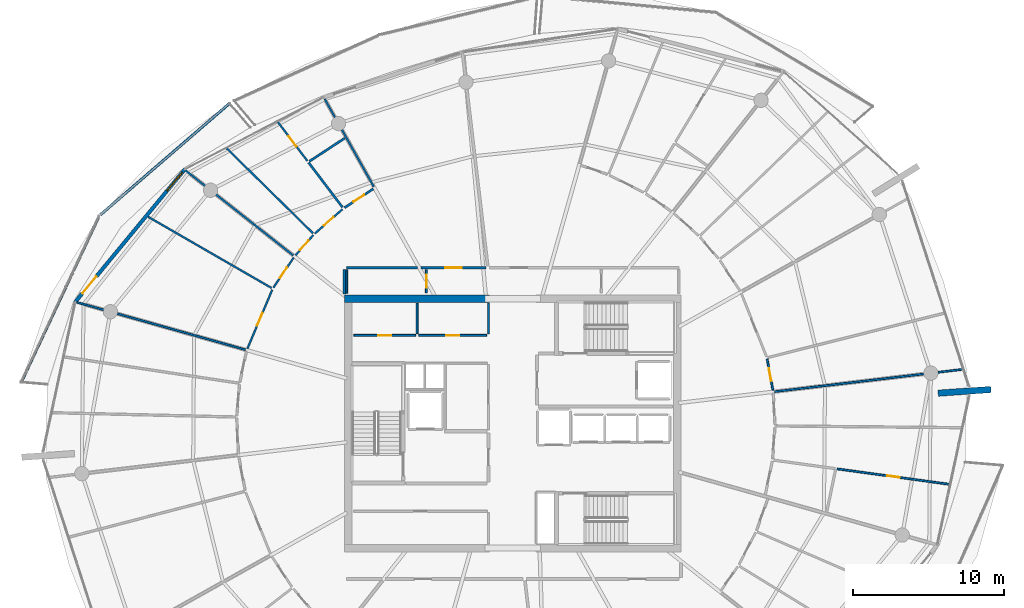
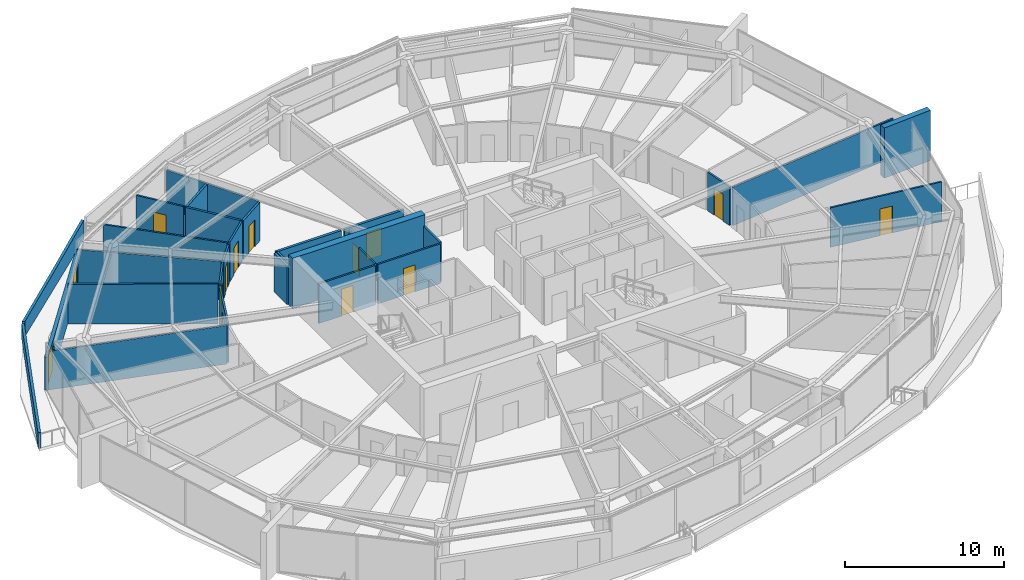
# One storey, part 21 of 30: 30 walls, 13 doors, 1 window, 14 openings.
"""IFC4 building model written with IfcOpenShell, lengths in metres."""

from ifc_helpers import new_model, si_unit, direction, frame, frame_2d, origin, place, context, subcontext, project, spatial, polyline, rectangle, outline, extrude, material, layer, layer_set, type_object, element, fill, save


model = new_model("IFC4")

# Units and contexts
model_context = context("Model", 3, precision=1e-05, world=origin(), true_north=direction((0.0, 1.0)))
body_context = subcontext(model_context, "Body", "Model", "MODEL_VIEW")
ifc_project = project(units=[si_unit("LENGTHUNIT", "METRE"), si_unit("AREAUNIT", "SQUARE_METRE"), si_unit("VOLUMEUNIT", "CUBIC_METRE"), si_unit("PLANEANGLEUNIT", "RADIAN"), si_unit("MASSUNIT", "GRAM", prefix="KILO")], contexts=[model_context])

# Site, building, storey
site_placement = place(None, origin())
site = spatial("IfcSite", under=ifc_project, at=site_placement, CompositionType="ELEMENT")
building_placement = place(site_placement, origin())
building = spatial("IfcBuilding", under=site, at=building_placement, Name="Kazma Halo Residences", CompositionType="ELEMENT")
storey_placement = place(building_placement, frame((0.0, 0.0, 279.050048828125)))
storey = spatial("IfcBuildingStorey", under=building, at=storey_placement, Name="L70", CompositionType="ELEMENT", Elevation=279.050048828125)

# Walls
ifc_material_1 = material(Name="White Concrete C50/60 Balustrade", Category="concrete")
ifc_layer_1 = layer(ifc_material_1, 0.179931640625)
ifc_layer_set_1 = layer_set([ifc_layer_1], Name="White Concrete C50/60 Balustrade")
wall_type_1 = type_object("IfcWallType", Name="WL-BAL-WAVE-180", PredefinedType="PARAPET", material=ifc_layer_set_1)
wall_1_placement = place(storey_placement, frame((29.69384765625, 63.17041015625, 0.0), z_axis=(0.0, 0.0, 1.0), x_axis=(-0.757188428153, -0.653196512751, 0.0)))
element("IfcWall", 1, at=wall_1_placement, inside=storey, type_object=wall_type_1, Name="L70 white wave balustrade wall NW.1", PredefinedType="PARAPET", context=body_context, shape_type="SweptSolid", body=[
    extrude(outline(polyline([(0.0, 0.0), (11.2783203125, 0.0), (11.2783203125, 1.14794921875), (5.63916015625, 1.283935546875), (0.0, 1.48291015625), (0.0, 0.0)])), frame((0.0, 0.08984375, 0.0), z_axis=(0.0, -1.0, 0.0), x_axis=(1.0, 0.0, 0.0)), (0.0, 0.0, 1.0), 0.179931640625),
])
wall_2_placement = place(storey_placement, frame((21.01220703125, 55.6162109375, 0.0), z_axis=(0.0, 0.0, 1.0), x_axis=(-0.424181665689, -0.905577116812, 0.0)))
element("IfcWall", 2, at=wall_2_placement, inside=storey, type_object=wall_type_1, Name="L70 white wave balustrade wall NW.2", PredefinedType="PARAPET", context=body_context, shape_type="SweptSolid", body=[
    extrude(outline(polyline([(0.0, 0.0), (12.029052734375, 0.0), (12.029296875, 1.223876953125), (6.0146484375, 1.126953125), (0.0, 1.14794921875), (0.0, 0.0)])), frame((0.0, 0.08984375, 0.0), z_axis=(0.0, -1.0, 0.0), x_axis=(1.0, 0.0, 0.0)), (0.0, 0.0, 1.0), 0.179931640625),
])
ifc_material_2 = material(Name="Pale Concrete C60/75", Category="concrete")
ifc_layer_2 = layer(ifc_material_2, 0.419921875)
ifc_layer_set_2 = layer_set([ifc_layer_2], Name="Pale Concrete C60/75")
wall_type_2 = type_object("IfcWallType", Name="WL-BLADE-420", PredefinedType="SOLIDWALL", material=ifc_layer_set_2)
wall_3_placement = place(storey_placement, frame((76.5625, 43.997314453125, 0.0), z_axis=(0.0, 0.0, 1.0), x_axis=(0.997563824095, 0.069759707979, 0.0)))
element("IfcWall", 3, at=wall_3_placement, inside=storey, type_object=wall_type_2, Name="L70 pale concrete structural blade fin wall BW-04", PredefinedType="SOLIDWALL", context=body_context, shape_type="SweptSolid", body=[
    extrude(rectangle(XDim=3.499755859375, YDim=0.419921875, at=frame_2d((1.75, 0.0))), origin(), (0.0, 0.0, 1.0), 3.849853515625),
])
ifc_material_3 = material(Name="Concrete C60/75", Category="concrete")
ifc_layer_3 = layer(ifc_material_3, 0.5)
ifc_layer_set_3 = layer_set([ifc_layer_3], Name="Concrete C60/75")
wall_type_3 = type_object("IfcWallType", Name="WL-CORE-500", PredefinedType="SHEAR", material=ifc_layer_set_3)
wall_4_placement = place(storey_placement, frame((37.300048828125, 50.25, 0.0), z_axis=(0.0, 0.0, 1.0), x_axis=(1.0, 0.0, 0.0)))
element("IfcWall", 4, at=wall_4_placement, inside=storey, type_object=wall_type_3, Name="L70 central core shear wall NW", PredefinedType="SHEAR", context=body_context, shape_type="SweptSolid", body=[
    extrude(rectangle(XDim=9.599853515625, YDim=0.5, at=frame_2d((4.7998046875, 0.0))), origin(), (0.0, 0.0, 1.0), 3.849853515625),
])

# Wall, opening, door
ifc_material_4 = material(Name="Acoustic Twin-Stud Gypsum")
ifc_layer_4 = layer(ifc_material_4, 0.179931640625)
ifc_layer_set_4 = layer_set([ifc_layer_4], Name="Acoustic Twin-Stud Gypsum")
wall_type_4 = type_object("IfcWallType", Name="WL-DEM-180", PredefinedType="PARTITIONING", material=ifc_layer_set_4)
wall_5_placement = place(storey_placement, frame((46.660888671875, 52.300048828125, 0.0), z_axis=(0.0, 0.0, 1.0), x_axis=(-1.0, 0.0, 0.0)))
wall_5 = element("IfcWall", 5, at=wall_5_placement, inside=storey, type_object=wall_type_4, Name="L70 Apartment 1 entrance corridor wall", PredefinedType="PARTITIONING", context=body_context, shape_type="SweptSolid", body=[
    extrude(rectangle(XDim=4.30908203125, YDim=0.179931640625, at=frame_2d((2.154541015625, 0.0))), origin(), (0.0, 0.0, 1.0), 2.95703125),
])
opening_1_placement = place(wall_5_placement, frame((1.6044921875, 0.0, 0.0)))
opening_1 = element("IfcOpeningElement", 6, at=opening_1_placement, cuts=wall_5, Name="Opening DA-1100", PredefinedType="OPENING", context=body_context, shape_type="SweptSolid", body=[
    extrude(rectangle(XDim=1.10009765625, YDim=2.10009765625, at=frame_2d((0.550048828125, 1.050048828125))), frame((0.0, 0.099853515625, 0.0), z_axis=(0.0, -1.0, 0.0), x_axis=(1.0, 0.0, 0.0)), (0.0, 0.0, 1.0), 0.199951171875),
])
ifc_material_5 = material(Name="Acoustic Walnut Fire Leaf")
door_type_1 = type_object("IfcDoorType", Name="DR-FD60-1100", OperationType="NOTDEFINED", PredefinedType="DOOR", material=ifc_material_5)
door_1_placement = place(opening_1_placement, origin())
door_1 = element("IfcDoor", 7, at=door_1_placement, inside=storey, type_object=door_type_1, Name="L70 Apartment 1 entrance fire door", OperationType="SINGLE_SWING_RIGHT", OverallHeight=2.10009765625, OverallWidth=1.10009765625, PredefinedType="DOOR", context=body_context, shape_type="SweptSolid", body=[
    extrude(rectangle(XDim=1.10009765625, YDim=2.10009765625, at=frame_2d((0.550048828125, 1.050048828125))), frame((0.0, 0.02490234375, 0.0), z_axis=(0.0, -1.0, 0.0), x_axis=(1.0, 0.0, 0.0)), (0.0, 0.0, 1.0), 0.050048828125),
])
fill(opening_1, door_1)

# Walls
wall_6_placement = place(storey_placement, frame((42.11181640625, 52.300048828125, 0.0), z_axis=(0.0, 0.0, 1.0), x_axis=(-1.0, 0.0, 0.0)))
element("IfcWall", 8, at=wall_6_placement, inside=storey, type_object=wall_type_4, Name="L70 Apartment 1 inner wall 4", PredefinedType="PARTITIONING", context=body_context, shape_type="SweptSolid", body=[
    extrude(rectangle(XDim=4.69189453125, YDim=0.179931640625, at=frame_2d((2.345947265625, 0.0))), origin(), (0.0, 0.0, 1.0), 2.95703125),
])
wall_7_placement = place(storey_placement, frame((37.300048828125, 52.179931640625, 0.0), z_axis=(0.0, 0.0, 1.0), x_axis=(0.0, -1.0, 0.0)))
element("IfcWall", 9, at=wall_7_placement, inside=storey, type_object=wall_type_4, Name="L70 Apartment 1 inner wall 4", PredefinedType="PARTITIONING", context=body_context, shape_type="SweptSolid", body=[
    extrude(rectangle(XDim=1.624755859375, YDim=0.179931640625, at=frame_2d((0.8125, 0.0))), origin(), (0.0, 0.0, 1.0), 2.95703125),
])

# Wall, openings, door, window
ifc_material_6 = material(Name="Insulated Pale-Metal Composite Wall")
ifc_layer_5 = layer(ifc_material_6, 0.239990234375)
ifc_layer_set_5 = layer_set([ifc_layer_5], Name="Insulated Pale-Metal Composite Wall")
wall_type_5 = type_object("IfcWallType", Name="WL-EXT-HOST-240", PredefinedType="SOLIDWALL", material=ifc_layer_set_5)
wall_8_placement = place(storey_placement, frame((26.7421875, 58.822021484375, 0.0), z_axis=(0.0, 0.0, 1.0), x_axis=(-0.636680093065, -0.771128043255, 0.0)))
wall_8 = element("IfcWall", 10, at=wall_8_placement, inside=storey, type_object=wall_type_5, Name="L70 exterior terrace-access wall B06", PredefinedType="SOLIDWALL", context=body_context, shape_type="SweptSolid", body=[
    extrude(rectangle(XDim=11.438232421875, YDim=0.239990234375, at=frame_2d((5.71923828125, 0.0))), origin(), (0.0, 0.0, 1.0), 2.5400390625),
])
opening_2_placement = place(wall_8_placement, frame((9.21826171875, 0.0, 0.0)))
opening_2 = element("IfcOpeningElement", 11, at=opening_2_placement, cuts=wall_8, Name="Opening DTR-1600", PredefinedType="OPENING", context=body_context, shape_type="SweptSolid", body=[
    extrude(rectangle(XDim=1.449951171875, YDim=2.14990234375, at=frame_2d((0.72509765625, 1.074951171875))), frame((0.0, 0.1298828125, 0.0), z_axis=(0.0, -1.0, 0.0), x_axis=(1.0, 0.0, 0.0)), (0.0, 0.0, 1.0), 0.260009765625),
])
opening_3_placement = place(wall_8_placement, frame((0.280029296875, 0.0, 0.64990234375)))
opening_3 = element("IfcOpeningElement", 12, at=opening_3_placement, cuts=wall_8, Name="Opening W-1800", PredefinedType="OPENING", context=body_context, shape_type="SweptSolid", body=[
    extrude(rectangle(XDim=1.60009765625, YDim=1.5, at=frame_2d((0.800048828125, 0.75))), frame((0.0, 0.1298828125, 0.0), z_axis=(0.0, -1.0, 0.0), x_axis=(1.0, 0.0, 0.0)), (0.0, 0.0, 1.0), 0.260009765625),
])
ifc_material_7 = material(Name="Aluminium AW-6063 T6 Double-Glazed Terrace Door", Category="aluminium")
door_type_2 = type_object("IfcDoorType", Name="DR-EXT-TERR-1600", OperationType="NOTDEFINED", PredefinedType="DOOR", material=ifc_material_7)
door_2_placement = place(opening_2_placement, origin())
door_2 = element("IfcDoor", 13, at=door_2_placement, inside=storey, type_object=door_type_2, Name="L70 B06 balcony terrace door", OperationType="DOUBLE_DOOR_SLIDING", OverallHeight=2.14990234375, OverallWidth=1.449951171875, PredefinedType="DOOR", context=body_context, shape_type="SweptSolid", body=[
    extrude(rectangle(XDim=1.449951171875, YDim=2.14990234375, at=frame_2d((0.72509765625, 1.074951171875))), frame((0.0, 0.02490234375, 0.0), z_axis=(0.0, -1.0, 0.0), x_axis=(1.0, 0.0, 0.0)), (0.0, 0.0, 1.0), 0.050048828125),
])
fill(opening_2, door_2)
ifc_material_8 = material(Name="Clear Triple-Silver Low-E Glass in Aluminium AW-6063 T6 Frame", Category="aluminium")
window_type = type_object("IfcWindowType", Name="WIN-RES-1800", PartitioningType="DOUBLE_PANEL_VERTICAL", PredefinedType="WINDOW", material=ifc_material_8)
window_placement = place(opening_3_placement, origin())
window = element("IfcWindow", 14, at=window_placement, inside=storey, type_object=window_type, Name="L70 B06 apartment window", OverallHeight=1.5, OverallWidth=1.60009765625, PartitioningType="SINGLE_PANEL", PredefinedType="WINDOW", context=body_context, shape_type="SweptSolid", body=[
    extrude(rectangle(XDim=1.60009765625, YDim=1.5, at=frame_2d((0.800048828125, 0.75))), frame((0.0, 0.030029296875, 0.0), z_axis=(0.0, -1.0, 0.0), x_axis=(1.0, 0.0, 0.0)), (0.0, 0.0, 1.0), 0.06005859375),
])
fill(opening_3, window)

# Walls
ifc_material_9 = material(Name="Gypsum Plasterboard Partition")
ifc_layer_6 = layer(ifc_material_9, 0.125)
ifc_layer_set_6 = layer_set([ifc_layer_6], Name="Gypsum Plasterboard Partition")
wall_type_6 = type_object("IfcWallType", Name="WL-PART-125", PredefinedType="PARTITIONING", material=ifc_layer_set_6)
for number, where, z_axis, x_axis, name in (
    (15, (46.820068359375, 47.919921875, 0.0), (0.0, 0.0, 1.0), (0.0, 1.0, 0.0), "L70 reclaimed north east wall"),
    (16, (42.10009765625, 47.919921875, 0.0), (0.0, 0.0, 1.0), (0.0, 1.0, 0.0), "L70 reclaimed north divider wall"),
):
    element("IfcWall", number, at=place(storey_placement, frame(where, z_axis=z_axis, x_axis=x_axis)), inside=storey, type_object=wall_type_6, Name=name, PredefinedType="PARTITIONING", context=body_context, shape_type="SweptSolid", body=[
        extrude(rectangle(XDim=2.030029296875, YDim=0.125, at=frame_2d((1.01513671875, 0.0))), origin(), (0.0, 0.0, 1.0), 3.030029296875),
    ])

# Wall, opening, door
wall_9_placement = place(storey_placement, frame((37.919921875, 47.820068359375, 0.0), z_axis=(0.0, 0.0, 1.0), x_axis=(1.0, 0.0, 0.0)))
wall_9 = element("IfcWall", 17, at=wall_9_placement, inside=storey, type_object=wall_type_6, Name="L70 reclaimed north W front wall", PredefinedType="PARTITIONING", context=body_context, shape_type="SweptSolid", body=[
    extrude(rectangle(XDim=4.080078125, YDim=0.125, at=frame_2d((2.0400390625, 0.0))), origin(), (0.0, 0.0, 1.0), 3.030029296875),
])
opening_4_placement = place(wall_9_placement, frame((1.614990234375, 0.0, 0.0)))
opening_4 = element("IfcOpeningElement", 18, at=opening_4_placement, cuts=wall_9, Name="Opening DS-850", PredefinedType="OPENING", context=body_context, shape_type="SweptSolid", body=[
    extrude(rectangle(XDim=0.85009765625, YDim=2.06005859375, at=frame_2d((0.425048828125, 1.030029296875))), frame((0.0, 0.072509765625, 0.0), z_axis=(0.0, -1.0, 0.0), x_axis=(1.0, 0.0, 0.0)), (0.0, 0.0, 1.0), 0.14501953125),
])
ifc_material_10 = material(Name="Painted Steel Access Leaf", Category="steel")
door_type_3 = type_object("IfcDoorType", Name="DR-SVC-850", OperationType="NOTDEFINED", PredefinedType="DOOR", material=ifc_material_10)
door_3_placement = place(opening_4_placement, origin())
door_3 = element("IfcDoor", 19, at=door_3_placement, inside=storey, type_object=door_type_3, Name="L70 reclaimed north W door", OperationType="SINGLE_SWING_RIGHT", OverallHeight=2.06005859375, OverallWidth=0.85009765625, PredefinedType="DOOR", context=body_context, shape_type="SweptSolid", body=[
    extrude(rectangle(XDim=0.85009765625, YDim=2.06005859375, at=frame_2d((0.425048828125, 1.030029296875))), frame((0.0, 0.02490234375, 0.0), z_axis=(0.0, -1.0, 0.0), x_axis=(1.0, 0.0, 0.0)), (0.0, 0.0, 1.0), 0.050048828125),
])
fill(opening_4, door_3)

wall_10_placement = place(storey_placement, frame((42.199951171875, 47.820068359375, 0.0), z_axis=(0.0, 0.0, 1.0), x_axis=(1.0, 0.0, 0.0)))
wall_10 = element("IfcWall", 20, at=wall_10_placement, inside=storey, type_object=wall_type_6, Name="L70 reclaimed north E front wall", PredefinedType="PARTITIONING", context=body_context, shape_type="SweptSolid", body=[
    extrude(rectangle(XDim=4.5, YDim=0.125, at=frame_2d((2.25, 0.0))), origin(), (0.0, 0.0, 1.0), 3.030029296875),
])
opening_5_placement = place(wall_10_placement, frame((1.824951171875, 0.0, 0.0)))
opening_5 = element("IfcOpeningElement", 21, at=opening_5_placement, cuts=wall_10, Name="Opening DS-850", PredefinedType="OPENING", context=body_context, shape_type="SweptSolid", body=[
    extrude(rectangle(XDim=0.85009765625, YDim=2.06005859375, at=frame_2d((0.425048828125, 1.030029296875))), frame((0.0, 0.072509765625, 0.0), z_axis=(0.0, -1.0, 0.0), x_axis=(1.0, 0.0, 0.0)), (0.0, 0.0, 1.0), 0.14501953125),
])
door_4_placement = place(opening_5_placement, origin())
door_4 = element("IfcDoor", 22, at=door_4_placement, inside=storey, type_object=door_type_3, Name="L70 reclaimed north E door", OperationType="SINGLE_SWING_LEFT", OverallHeight=2.06005859375, OverallWidth=0.85009765625, PredefinedType="DOOR", context=body_context, shape_type="SweptSolid", body=[
    extrude(rectangle(XDim=0.85009765625, YDim=2.06005859375, at=frame_2d((0.425048828125, 1.030029296875))), frame((0.0, 0.02490234375, 0.0), z_axis=(0.0, -1.0, 0.0), x_axis=(1.0, 0.0, 0.0)), (0.0, 0.0, 1.0), 0.050048828125),
])
fill(opening_5, door_4)

# Wall
wall_11_placement = place(storey_placement, frame((37.43994140625, 50.6201171875, 0.0), z_axis=(0.0, 0.0, 1.0), x_axis=(0.0, 1.0, 0.0)))
element("IfcWall", 23, at=wall_11_placement, inside=storey, type_object=wall_type_6, Name="L70 west linen end wall", PredefinedType="PARTITIONING", context=body_context, shape_type="SweptSolid", body=[
    extrude(rectangle(XDim=1.539794921875, YDim=0.125, at=frame_2d((0.77001953125, 0.0))), origin(), (0.0, 0.0, 1.0), 3.030029296875),
])

# Wall, opening, door
wall_12_placement = place(storey_placement, frame((42.7099609375, 50.639892578125, 0.0), z_axis=(0.0, 0.0, 1.0), x_axis=(0.0, 1.0, 0.0)))
wall_12 = element("IfcWall", 24, at=wall_12_placement, inside=storey, type_object=wall_type_6, Name="L70 floor linen store door wall", PredefinedType="PARTITIONING", context=body_context, shape_type="SweptSolid", body=[
    extrude(rectangle(XDim=1.52001953125, YDim=0.125, at=frame_2d((0.760009765625, 0.0))), origin(), (0.0, 0.0, 1.0), 2.95703125),
])
opening_6_placement = place(wall_12_placement, frame((0.3349609375, 0.0, 0.0)))
opening_6 = element("IfcOpeningElement", 25, at=opening_6_placement, cuts=wall_12, Name="Opening DS-850", PredefinedType="OPENING", context=body_context, shape_type="SweptSolid", body=[
    extrude(rectangle(XDim=0.85009765625, YDim=2.06005859375, at=frame_2d((0.425048828125, 1.030029296875))), frame((0.0, 0.072509765625, 0.0), z_axis=(0.0, -1.0, 0.0), x_axis=(1.0, 0.0, 0.0)), (0.0, 0.0, 1.0), 0.14501953125),
])
door_5_placement = place(opening_6_placement, origin())
door_5 = element("IfcDoor", 26, at=door_5_placement, inside=storey, type_object=door_type_3, Name="L70 floor linen store door", OperationType="SINGLE_SWING_LEFT", OverallHeight=2.06005859375, OverallWidth=0.85009765625, PredefinedType="DOOR", context=body_context, shape_type="SweptSolid", body=[
    extrude(rectangle(XDim=0.85009765625, YDim=2.06005859375, at=frame_2d((0.425048828125, 1.030029296875))), frame((0.0, 0.02490234375, 0.0), z_axis=(0.0, -1.0, 0.0), x_axis=(1.0, 0.0, 0.0)), (0.0, 0.0, 1.0), 0.050048828125),
])
fill(opening_6, door_5)

# Wall
wall_13_placement = place(storey_placement, frame((39.233154296875, 57.654296875, 0.0), z_axis=(0.0, 0.0, 1.0), x_axis=(-0.488631305502, 0.872490370883, 0.0)))
element("IfcWall", 27, at=wall_13_placement, inside=storey, type_object=wall_type_6, Name="L70 Apartment 1 radial partition 4", PredefinedType="PARTITIONING", context=body_context, shape_type="SweptSolid", body=[
    extrude(rectangle(XDim=6.65283203125, YDim=0.125, at=frame_2d((3.326416015625, 0.0))), origin(), (0.0, 0.0, 1.0), 2.95703125),
])

# Wall, opening, door
wall_14_placement = place(storey_placement, frame((34.839599609375, 59.35693359375, 0.0), z_axis=(0.0, 0.0, 1.0), x_axis=(-0.604173390314, 0.7968528813, 0.0)))
wall_14 = element("IfcWall", 28, at=wall_14_placement, inside=storey, type_object=wall_type_6, Name="L70 Apartment 1 Household Store Room partition wall", PredefinedType="PARTITIONING", context=body_context, shape_type="SweptSolid", body=[
    extrude(rectangle(XDim=3.26025390625, YDim=0.125, at=frame_2d((1.630126953125, 0.0))), origin(), (0.0, 0.0, 1.0), 3.030029296875),
])
opening_7_placement = place(wall_14_placement, frame((1.205078125, 0.0, 0.0)))
opening_7 = element("IfcOpeningElement", 29, at=opening_7_placement, cuts=wall_14, Name="Opening DB-900", PredefinedType="OPENING", context=body_context, shape_type="SweptSolid", body=[
    extrude(rectangle(XDim=0.85009765625, YDim=2.06005859375, at=frame_2d((0.425048828125, 1.030029296875))), frame((0.0, 0.072509765625, 0.0), z_axis=(0.0, -1.0, 0.0), x_axis=(1.0, 0.0, 0.0)), (0.0, 0.0, 1.0), 0.14501953125),
])
ifc_material_11 = material(Name="Moisture-Sealed Timber Leaf", Category="wood")
door_type_4 = type_object("IfcDoorType", Name="DR-BTH-900", OperationType="NOTDEFINED", PredefinedType="DOOR", material=ifc_material_11)
door_6_placement = place(opening_7_placement, origin())
door_6 = element("IfcDoor", 30, at=door_6_placement, inside=storey, type_object=door_type_4, Name="L70 Apartment 1 Household Store Room door", OperationType="SINGLE_SWING_RIGHT", OverallHeight=2.06005859375, OverallWidth=0.85009765625, PredefinedType="DOOR", context=body_context, shape_type="SweptSolid", body=[
    extrude(rectangle(XDim=0.85009765625, YDim=2.06005859375, at=frame_2d((0.425048828125, 1.030029296875))), frame((0.0, 0.02490234375, 0.0), z_axis=(0.0, -1.0, 0.0), x_axis=(1.0, 0.0, 0.0)), (0.0, 0.0, 1.0), 0.050048828125),
])
fill(opening_7, door_6)

# Wall
wall_15_placement = place(storey_placement, frame((35.214111328125, 54.572998046875, 0.0), z_axis=(0.0, 0.0, 1.0), x_axis=(-0.712998082221, 0.701165982311, 0.0)))
element("IfcWall", 31, at=wall_15_placement, inside=storey, type_object=wall_type_6, Name="L70 Apartment 1 suite divider 4", PredefinedType="PARTITIONING", context=body_context, shape_type="SweptSolid", body=[
    extrude(rectangle(XDim=8.026611328125, YDim=0.125, at=frame_2d((4.01318359375, 0.0))), origin(), (0.0, 0.0, 1.0), 3.030029296875),
])

# Wall, opening, door
wall_16_placement = place(storey_placement, frame((37.152587890625, 56.157958984375, 0.0), z_axis=(0.0, 0.0, 1.0), x_axis=(-0.750978090344, -0.660327121829, 0.0)))
wall_16 = element("IfcWall", 32, at=wall_16_placement, inside=storey, type_object=wall_type_6, Name="L70 Apartment 1 Gourmet Kitchen hall wall", PredefinedType="PARTITIONING", context=body_context, shape_type="SweptSolid", body=[
    extrude(rectangle(XDim=2.415771484375, YDim=0.125, at=frame_2d((1.2080078125, 0.0))), origin(), (0.0, 0.0, 1.0), 3.030029296875),
])
opening_8_placement = place(wall_16_placement, frame((0.782958984375, 0.0, 0.0)))
opening_8 = element("IfcOpeningElement", 33, at=opening_8_placement, cuts=wall_16, Name="Opening DB-900", PredefinedType="OPENING", context=body_context, shape_type="SweptSolid", body=[
    extrude(rectangle(XDim=0.85009765625, YDim=2.06005859375, at=frame_2d((0.425048828125, 1.030029296875))), frame((0.0, 0.072509765625, 0.0), z_axis=(0.0, -1.0, 0.0), x_axis=(1.0, 0.0, 0.0)), (0.0, 0.0, 1.0), 0.14501953125),
])
door_7_placement = place(opening_8_placement, origin())
door_7 = element("IfcDoor", 34, at=door_7_placement, inside=storey, type_object=door_type_4, Name="L70 Apartment 1 Gourmet Kitchen door", OperationType="SINGLE_SWING_LEFT", OverallHeight=2.06005859375, OverallWidth=0.85009765625, PredefinedType="DOOR", context=body_context, shape_type="SweptSolid", body=[
    extrude(rectangle(XDim=0.85009765625, YDim=2.06005859375, at=frame_2d((0.425048828125, 1.030029296875))), frame((0.0, 0.02490234375, 0.0), z_axis=(0.0, -1.0, 0.0), x_axis=(1.0, 0.0, 0.0)), (0.0, 0.0, 1.0), 0.050048828125),
])
fill(opening_8, door_7)

wall_17_placement = place(storey_placement, frame((35.2255859375, 54.449951171875, 0.0), z_axis=(0.0, 0.0, 1.0), x_axis=(-0.661115526194, -0.7502841202, 0.0)))
wall_17 = element("IfcWall", 35, at=wall_17_placement, inside=storey, type_object=wall_type_6, Name="L70 Apartment 1 Primary Bedroom hall wall", PredefinedType="PARTITIONING", context=body_context, shape_type="SweptSolid", body=[
    extrude(rectangle(XDim=1.771484375, YDim=0.125, at=frame_2d((0.8857421875, 0.0))), origin(), (0.0, 0.0, 1.0), 2.95703125),
])
opening_9_placement = place(wall_17_placement, frame((0.460693359375, 0.0, 0.0)))
opening_9 = element("IfcOpeningElement", 36, at=opening_9_placement, cuts=wall_17, Name="Opening DB-900", PredefinedType="OPENING", context=body_context, shape_type="SweptSolid", body=[
    extrude(rectangle(XDim=0.85009765625, YDim=2.06005859375, at=frame_2d((0.425048828125, 1.030029296875))), frame((0.0, 0.072509765625, 0.0), z_axis=(0.0, -1.0, 0.0), x_axis=(1.0, 0.0, 0.0)), (0.0, 0.0, 1.0), 0.14501953125),
])
door_8_placement = place(opening_9_placement, origin())
door_8 = element("IfcDoor", 37, at=door_8_placement, inside=storey, type_object=door_type_4, Name="L70 Apartment 1 Primary Bedroom door", OperationType="SINGLE_SWING_RIGHT", OverallHeight=2.06005859375, OverallWidth=0.85009765625, PredefinedType="DOOR", context=body_context, shape_type="SweptSolid", body=[
    extrude(rectangle(XDim=0.85009765625, YDim=2.06005859375, at=frame_2d((0.425048828125, 1.030029296875))), frame((0.0, 0.02490234375, 0.0), z_axis=(0.0, -1.0, 0.0), x_axis=(1.0, 0.0, 0.0)), (0.0, 0.0, 1.0), 0.050048828125),
])
fill(opening_9, door_8)

# Walls
wall_18_placement = place(storey_placement, frame((33.909912109375, 53.10791015625, 0.0), z_axis=(0.0, 0.0, 1.0), x_axis=(-0.785332331122, 0.619074413697, 0.0)))
element("IfcWall", 38, at=wall_18_placement, inside=storey, type_object=wall_type_6, Name="L70 Apartment 1 radial partition 5", PredefinedType="PARTITIONING", context=body_context, shape_type="SweptSolid", body=[
    extrude(rectangle(XDim=9.142578125, YDim=0.125, at=frame_2d((4.5712890625, 0.0))), origin(), (0.0, 0.0, 1.0), 2.95703125),
])
wall_19_placement = place(storey_placement, frame((32.4658203125, 50.9580078125, 0.0), z_axis=(0.0, 0.0, 1.0), x_axis=(-0.86629721787, 0.499528908383, 0.0)))
element("IfcWall", 39, at=wall_19_placement, inside=storey, type_object=wall_type_6, Name="L70 Apartment 1 mid-bay wall 5", PredefinedType="PARTITIONING", context=body_context, shape_type="SweptSolid", body=[
    extrude(rectangle(XDim=9.42822265625, YDim=0.125, at=frame_2d((4.714111328125, 0.0))), origin(), (0.0, 0.0, 1.0), 3.030029296875),
])

# Wall, opening, door
wall_20_placement = place(storey_placement, frame((33.932373046875, 52.963134765625, 0.0), z_axis=(0.0, 0.0, 1.0), x_axis=(-0.560751274748, -0.82798430412, 0.0)))
wall_20 = element("IfcWall", 40, at=wall_20_placement, inside=storey, type_object=wall_type_6, Name="L70 Apartment 1 Primary Wine Pantry Store hall wall", PredefinedType="PARTITIONING", context=body_context, shape_type="SweptSolid", body=[
    extrude(rectangle(XDim=2.396240234375, YDim=0.125, at=frame_2d((1.1982421875, 0.0))), origin(), (0.0, 0.0, 1.0), 2.95703125),
])
opening_10_placement = place(wall_20_placement, frame((0.773193359375, 0.0, 0.0)))
opening_10 = element("IfcOpeningElement", 41, at=opening_10_placement, cuts=wall_20, Name="Opening DB-900", PredefinedType="OPENING", context=body_context, shape_type="SweptSolid", body=[
    extrude(rectangle(XDim=0.85009765625, YDim=2.06005859375, at=frame_2d((0.425048828125, 1.030029296875))), frame((0.0, 0.072509765625, 0.0), z_axis=(0.0, -1.0, 0.0), x_axis=(1.0, 0.0, 0.0)), (0.0, 0.0, 1.0), 0.14501953125),
])
door_9_placement = place(opening_10_placement, origin())
door_9 = element("IfcDoor", 42, at=door_9_placement, inside=storey, type_object=door_type_4, Name="L70 Apartment 1 Primary Wine Pantry Store door", OperationType="SINGLE_SWING_RIGHT", OverallHeight=2.06005859375, OverallWidth=0.85009765625, PredefinedType="DOOR", context=body_context, shape_type="SweptSolid", body=[
    extrude(rectangle(XDim=0.85009765625, YDim=2.06005859375, at=frame_2d((0.425048828125, 1.030029296875))), frame((0.0, 0.02490234375, 0.0), z_axis=(0.0, -1.0, 0.0), x_axis=(1.0, 0.0, 0.0)), (0.0, 0.0, 1.0), 0.050048828125),
])
fill(opening_10, door_9)

wall_21_placement = place(storey_placement, frame((32.5126953125, 50.839111328125, 0.0), z_axis=(0.0, 0.0, 1.0), x_axis=(-0.388494891754, -0.921450877194, 0.0)))
wall_21 = element("IfcWall", 43, at=wall_21_placement, inside=storey, type_object=wall_type_6, Name="L70 Apartment 1 Secondary Formal Dining Room hall wall", PredefinedType="PARTITIONING", context=body_context, shape_type="SweptSolid", body=[
    extrude(rectangle(XDim=4.23681640625, YDim=0.125, at=frame_2d((2.118408203125, 0.0))), origin(), (0.0, 0.0, 1.0), 2.95703125),
])
opening_11_placement = place(wall_21_placement, frame((1.66845703125, 0.0, 0.0)))
opening_11 = element("IfcOpeningElement", 44, at=opening_11_placement, cuts=wall_21, Name="Opening DI-950", PredefinedType="OPENING", context=body_context, shape_type="SweptSolid", body=[
    extrude(rectangle(XDim=0.89990234375, YDim=2.080078125, at=frame_2d((0.449951171875, 1.0400390625))), frame((0.0, 0.072509765625, 0.0), z_axis=(0.0, -1.0, 0.0), x_axis=(1.0, 0.0, 0.0)), (0.0, 0.0, 1.0), 0.14501953125),
])
ifc_material_12 = material(Name="Timber Veneer Flush Leaf", Category="wood")
door_type_5 = type_object("IfcDoorType", Name="DR-INT-950", OperationType="NOTDEFINED", PredefinedType="DOOR", material=ifc_material_12)
door_10_placement = place(opening_11_placement, origin())
door_10 = element("IfcDoor", 45, at=door_10_placement, inside=storey, type_object=door_type_5, Name="L70 Apartment 1 Secondary Formal Dining Room door", OperationType="SINGLE_SWING_LEFT", OverallHeight=2.080078125, OverallWidth=0.89990234375, PredefinedType="DOOR", context=body_context, shape_type="SweptSolid", body=[
    extrude(rectangle(XDim=0.89990234375, YDim=2.080078125, at=frame_2d((0.449951171875, 1.0400390625))), frame((0.0, 0.02490234375, 0.0), z_axis=(0.0, -1.0, 0.0), x_axis=(1.0, 0.0, 0.0)), (0.0, 0.0, 1.0), 0.050048828125),
])
fill(opening_11, door_10)

# Wall
wall_22_placement = place(storey_placement, frame((30.731689453125, 46.8701171875, 0.0), z_axis=(0.0, 0.0, 1.0), x_axis=(-0.962452931787, 0.271448621462, 0.0)))
element("IfcWall", 46, at=wall_22_placement, inside=storey, type_object=wall_type_6, Name="L70 Apartment 1 radial partition 6", PredefinedType="PARTITIONING", context=body_context, shape_type="SweptSolid", body=[
    extrude(rectangle(XDim=11.5537109375, YDim=0.125, at=frame_2d((5.77685546875, 0.0))), origin(), (0.0, 0.0, 1.0), 2.95703125),
])

# Wall, opening, door
wall_23_placement = place(storey_placement, frame((69.880126953125, 38.9912109375, 0.0), z_axis=(0.0, 0.0, 1.0), x_axis=(0.990676269793, -0.13623703046, 0.0)))
wall_23 = element("IfcWall", 47, at=wall_23_placement, inside=storey, type_object=wall_type_6, Name="L70 Apartment 4 Utility Laundry Room partition wall", PredefinedType="PARTITIONING", context=body_context, shape_type="SweptSolid", body=[
    extrude(rectangle(XDim=7.531982421875, YDim=0.125, at=frame_2d((3.76611328125, 0.0))), origin(), (0.0, 0.0, 1.0), 3.030029296875),
])
opening_12_placement = place(wall_23_placement, frame((3.341064453125, 0.0, 0.0)))
opening_12 = element("IfcOpeningElement", 48, at=opening_12_placement, cuts=wall_23, Name="Opening DB-900", PredefinedType="OPENING", context=body_context, shape_type="SweptSolid", body=[
    extrude(rectangle(XDim=0.85009765625, YDim=2.06005859375, at=frame_2d((0.425048828125, 1.030029296875))), frame((0.0, 0.072509765625, 0.0), z_axis=(0.0, -1.0, 0.0), x_axis=(1.0, 0.0, 0.0)), (0.0, 0.0, 1.0), 0.14501953125),
])
door_11_placement = place(opening_12_placement, origin())
door_11 = element("IfcDoor", 49, at=door_11_placement, inside=storey, type_object=door_type_4, Name="L70 Apartment 4 Utility Laundry Room door", OperationType="SINGLE_SWING_RIGHT", OverallHeight=2.06005859375, OverallWidth=0.85009765625, PredefinedType="DOOR", context=body_context, shape_type="SweptSolid", body=[
    extrude(rectangle(XDim=0.85009765625, YDim=2.06005859375, at=frame_2d((0.425048828125, 1.030029296875))), frame((0.0, 0.02490234375, 0.0), z_axis=(0.0, -1.0, 0.0), x_axis=(1.0, 0.0, 0.0)), (0.0, 0.0, 1.0), 0.050048828125),
])
fill(opening_12, door_11)

# Wall
wall_24_placement = place(storey_placement, frame((65.752197265625, 44.10107421875, 0.0), z_axis=(0.0, 0.0, 1.0), x_axis=(0.993067785749, 0.117543068309, 0.0)))
element("IfcWall", 50, at=wall_24_placement, inside=storey, type_object=wall_type_6, Name="L70 Apartment 4 radial partition 15", PredefinedType="PARTITIONING", context=body_context, shape_type="SweptSolid", body=[
    extrude(rectangle(XDim=12.553466796875, YDim=0.125, at=frame_2d((6.27685546875, 0.0))), origin(), (0.0, 0.0, 1.0), 2.95703125),
])

# Wall, opening, door
wall_25_placement = place(storey_placement, frame((65.634765625, 44.1875, 0.0), z_axis=(0.0, 0.0, 1.0), x_axis=(-0.181239065241, 0.983439068387, 0.0)))
wall_25 = element("IfcWall", 51, at=wall_25_placement, inside=storey, type_object=wall_type_6, Name="L70 Apartment 4 Primary Wine Pantry Store hall wall", PredefinedType="PARTITIONING", context=body_context, shape_type="SweptSolid", body=[
    extrude(rectangle(XDim=2.108154296875, YDim=0.125, at=frame_2d((1.05419921875, 0.0))), origin(), (0.0, 0.0, 1.0), 2.95703125),
])
opening_13_placement = place(wall_25_placement, frame((0.62890625, 0.0, 0.0)))
opening_13 = element("IfcOpeningElement", 52, at=opening_13_placement, cuts=wall_25, Name="Opening DB-900", PredefinedType="OPENING", context=body_context, shape_type="SweptSolid", body=[
    extrude(rectangle(XDim=0.85009765625, YDim=2.06005859375, at=frame_2d((0.425048828125, 1.030029296875))), frame((0.0, 0.072509765625, 0.0), z_axis=(0.0, -1.0, 0.0), x_axis=(1.0, 0.0, 0.0)), (0.0, 0.0, 1.0), 0.14501953125),
])
door_12_placement = place(opening_13_placement, origin())
door_12 = element("IfcDoor", 53, at=door_12_placement, inside=storey, type_object=door_type_4, Name="L70 Apartment 4 Primary Wine Pantry Store door", OperationType="SINGLE_SWING_RIGHT", OverallHeight=2.06005859375, OverallWidth=0.85009765625, PredefinedType="DOOR", context=body_context, shape_type="SweptSolid", body=[
    extrude(rectangle(XDim=0.85009765625, YDim=2.06005859375, at=frame_2d((0.425048828125, 1.030029296875))), frame((0.0, 0.02490234375, 0.0), z_axis=(0.0, -1.0, 0.0), x_axis=(1.0, 0.0, 0.0)), (0.0, 0.0, 1.0), 0.050048828125),
])
fill(opening_13, door_12)

ifc_material_13 = material(Name="Moisture-Resistant Gypsum")
ifc_layer_7 = layer(ifc_material_13, 0.14990234375)
ifc_layer_set_7 = layer_set([ifc_layer_7], Name="Moisture-Resistant Gypsum")
wall_type_7 = type_object("IfcWallType", Name="WL-WET-150", PredefinedType="PARTITIONING", material=ifc_layer_set_7)
wall_26_placement = place(storey_placement, frame((39.1982421875, 57.51220703125, 0.0), z_axis=(0.0, 0.0, 1.0), x_axis=(-0.836678262568, -0.547694700491, 0.0)))
wall_26 = element("IfcWall", 54, at=wall_26_placement, inside=storey, type_object=wall_type_7, Name="L70 Apartment 1 Guest Bathroom hall wall", PredefinedType="PARTITIONING", context=body_context, shape_type="SweptSolid", body=[
    extrude(rectangle(XDim=2.274169921875, YDim=0.14990234375, at=frame_2d((1.13720703125, 0.0))), origin(), (0.0, 0.0, 1.0), 2.95703125),
])
opening_14_placement = place(wall_26_placement, frame((0.712158203125, 0.0, 0.0)))
opening_14 = element("IfcOpeningElement", 55, at=opening_14_placement, cuts=wall_26, Name="Opening DB-900", PredefinedType="OPENING", context=body_context, shape_type="SweptSolid", body=[
    extrude(rectangle(XDim=0.85009765625, YDim=2.06005859375, at=frame_2d((0.425048828125, 1.030029296875))), frame((0.0, 0.0849609375, 0.0), z_axis=(0.0, -1.0, 0.0), x_axis=(1.0, 0.0, 0.0)), (0.0, 0.0, 1.0), 0.169921875),
])
door_13_placement = place(opening_14_placement, origin())
door_13 = element("IfcDoor", 56, at=door_13_placement, inside=storey, type_object=door_type_4, Name="L70 Apartment 1 Guest Bathroom door", OperationType="SINGLE_SWING_LEFT", OverallHeight=2.06005859375, OverallWidth=0.85009765625, PredefinedType="DOOR", context=body_context, shape_type="SweptSolid", body=[
    extrude(rectangle(XDim=0.85009765625, YDim=2.06005859375, at=frame_2d((0.425048828125, 1.030029296875))), frame((0.0, 0.02490234375, 0.0), z_axis=(0.0, -1.0, 0.0), x_axis=(1.0, 0.0, 0.0)), (0.0, 0.0, 1.0), 0.050048828125),
])
fill(opening_14, door_13)

# Walls
wall_27_placement = place(storey_placement, frame((37.317138671875, 60.871337890625, 0.0), z_axis=(0.0, 0.0, 1.0), x_axis=(-0.836665995214, -0.547713440087, 0.0)))
element("IfcWall", 57, at=wall_27_placement, inside=storey, type_object=wall_type_7, Name="L70 Apartment 1 Guest Bathroom back wall", PredefinedType="PARTITIONING", context=body_context, shape_type="SweptSolid", body=[
    extrude(rectangle(XDim=2.805908203125, YDim=0.14990234375, at=frame_2d((1.40283203125, 0.0))), origin(), (0.0, 0.0, 1.0), 2.95703125),
])
wall_28_placement = place(storey_placement, frame((37.165771484375, 56.2890625, 0.0), z_axis=(0.0, 0.0, 1.0), x_axis=(-0.604171001441, 0.796854692537, 0.0)))
element("IfcWall", 58, at=wall_28_placement, inside=storey, type_object=wall_type_7, Name="L70 Apartment 1 Guest Bathroom side wall", PredefinedType="PARTITIONING", context=body_context, shape_type="SweptSolid", body=[
    extrude(rectangle(XDim=3.719970703125, YDim=0.14990234375, at=frame_2d((1.85986328125, 0.0))), origin(), (0.0, 0.0, 1.0), 3.030029296875),
])

save(model, "model.ifc")
